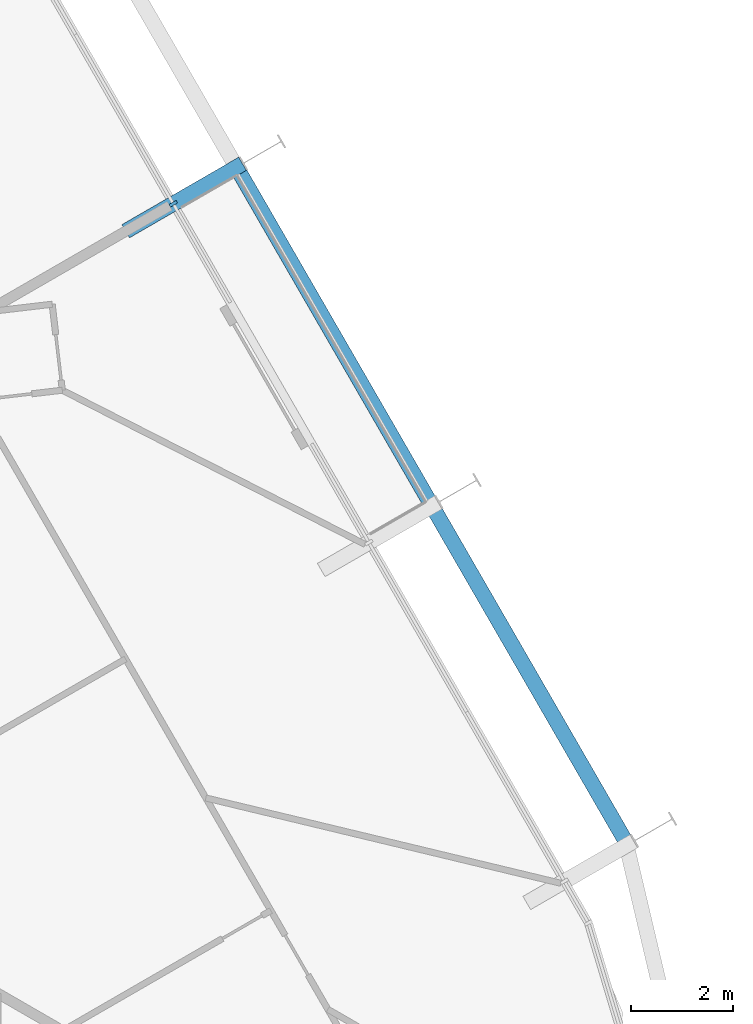
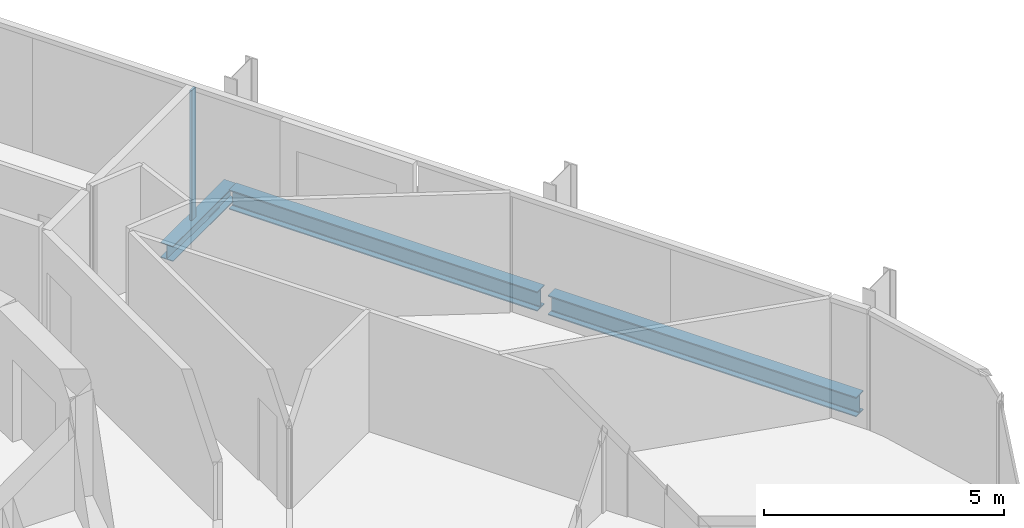
# One storey, part 8 of 20: 3 beams, 1 member, 1 element without a shape of its own.
"""IFC4 building model written with IfcOpenShell, lengths in metres."""

from ifc_helpers import new_model, si_unit, direction, frame, origin, origin_2d, place, context, subcontext, project, spatial, rectangle, i_section, extrude, material, layer, layer_set, material_profile, profile_set, type_object, element, aggregate, save


model = new_model("IFC4")

# Units and contexts
model_context = context("Model", 3, precision=1e-05, world=origin(), true_north=direction((0.0, 1.0)))
body_context = subcontext(model_context, "Body", "Model", "MODEL_VIEW")
ifc_project = project(units=[si_unit("LENGTHUNIT", "METRE"), si_unit("AREAUNIT", "SQUARE_METRE"), si_unit("VOLUMEUNIT", "CUBIC_METRE"), si_unit("PLANEANGLEUNIT", "RADIAN"), si_unit("MASSUNIT", "GRAM", prefix="KILO")], contexts=[model_context])

# Site, building, storey
site_placement = place(None, origin())
site = spatial("IfcSite", under=ifc_project, at=site_placement, CompositionType="ELEMENT")
building_placement = place(site_placement, origin())
building = spatial("IfcBuilding", under=site, at=building_placement, Name="Spindle Arch Residences", CompositionType="ELEMENT")
storey_placement = place(building_placement, frame((0.0, 0.0, 66.39990234375)))
storey = spatial("IfcBuildingStorey", under=building, at=storey_placement, Name="L15", CompositionType="ELEMENT", Elevation=66.39990234375)

# Curtain wall, member
ifc_material_1 = material(Name="Aluminium bronze unitised frame with tinted glass", Category="aluminium")
ifc_layer = layer(ifc_material_1, 0.159912109375)
ifc_layer_set = layer_set([ifc_layer], Name="CW-C typical residential unitised wall")
curtain_wall_type = type_object("IfcCurtainWallType", Name="CW-C typical residential unitised wall", PredefinedType="NOTDEFINED", material=ifc_layer_set)
curtain_wall_placement = place(storey_placement, origin())
curtain_wall = element("IfcCurtainWall", 1, at=curtain_wall_placement, inside=storey, type_object=curtain_wall_type, Name="CW-C L15 run 2", PredefinedType="NOTDEFINED")
ifc_material_2 = material(Name="Aluminium bronze anodised mullion", Category="aluminium")
ifc_material_profile_1 = material_profile(ifc_material_2, rectangle(XDim=0.159912109375, YDim=0.06005859375, at=origin_2d()), Name="MU 60x160")
ifc_profile_set_1 = profile_set([ifc_material_profile_1], Name="Aluminium bronze anodised mullion")
member_type = type_object("IfcMemberType", Name="Bronze mullion 60x160", PredefinedType="MULLION", material=ifc_profile_set_1)
member_placement = place(storey_placement, frame((18.9892578125, 6.529296875, -0.3798828125), z_axis=(0.0, 0.0, 1.0), x_axis=(-0.866025403784, -0.5, 0.0)))
member = element("IfcMember", 2, at=member_placement, type_object=member_type, Name="CW-C mullion 07", PredefinedType="MULLION", context=body_context, shape_type="SweptSolid", body=[
    extrude(rectangle(XDim=0.159912109375, YDim=0.06005859375, at=origin_2d()), origin(), (0.0, 0.0, 1.0), 3.31005859375),
])
aggregate(curtain_wall, [member])

# Beams
ifc_material_3 = material(Name="Steel S460ML, intumescent coating R 120", Category="steel")
ifc_material_profile_2 = material_profile(ifc_material_3, i_section(OverallWidth=0.300048828125, OverallDepth=0.5, WebThickness=0.014404296875, FlangeThickness=0.028076171875, FilletRadius=0.027099609375, at=origin_2d()), Name="HEB 500")
ifc_profile_set_2 = profile_set([ifc_material_profile_2], Name="Steel S460ML, intumescent coating R 120")
beam_type_1 = type_object("IfcBeamType", Name="Exoskeleton edge beam HEB 500", PredefinedType="BEAM", material=ifc_profile_set_2)
for number, where, z_axis, x_axis, name in (
    (3, (27.84521484375, -5.94384765625, -0.6298828125), (-0.49998923004, 0.866031621735, 0.0), (-0.866031621735, -0.49998923004, 0.0), "Exoskeleton edge beam 6"),
    (4, (24.00537109375, 0.707275390625, -0.6298828125), (-0.49998923004, 0.866031621735, 0.0), (-0.866031621735, -0.49998923004, 0.0), "Exoskeleton edge beam 7"),
):
    element("IfcBeam", number, at=place(storey_placement, frame(where, z_axis=z_axis, x_axis=x_axis)), inside=storey, type_object=beam_type_1, Name=name, PredefinedType="BEAM", context=body_context, shape_type="SweptSolid", body=[
        extrude(i_section(OverallWidth=0.300048828125, OverallDepth=0.5, WebThickness=0.014404296875, FlangeThickness=0.028076171875, FilletRadius=0.027099609375, at=origin_2d()), origin(), (0.0, 0.0, 1.0), 7.420166015625),
    ])
ifc_material_4 = material(Name="Steel S460ML, intumescent coating R 120", Category="steel")
ifc_material_profile_3 = material_profile(ifc_material_4, i_section(OverallWidth=0.300048828125, OverallDepth=0.389892578125, WebThickness=0.010986328125, FlangeThickness=0.01904296875, FilletRadius=0.027099609375, at=origin_2d()), Name="HEA 400")
ifc_profile_set_3 = profile_set([ifc_material_profile_3], Name="Steel S460ML, intumescent coating R 120")
beam_type_2 = type_object("IfcBeamType", Name="Floor outrigger HEA 400", PredefinedType="BEAM", material=ifc_profile_set_3)
beam_placement = place(storey_placement, frame((20.34912109375, 7.314453125, -0.574951171875), z_axis=(-0.866052124492, -0.499953715521, 0.0), x_axis=(0.499953715521, -0.866052124492, 0.0)))
element("IfcBeam", 5, at=beam_placement, inside=storey, type_object=beam_type_2, Name="Floor outrigger 8", PredefinedType="BEAM", context=body_context, shape_type="SweptSolid", body=[
    extrude(i_section(OverallWidth=0.300048828125, OverallDepth=0.389892578125, WebThickness=0.010986328125, FlangeThickness=0.01904296875, FilletRadius=0.027099609375, at=origin_2d()), origin(), (0.0, 0.0, 1.0), 2.650146484375),
])

save(model, "model.ifc")
